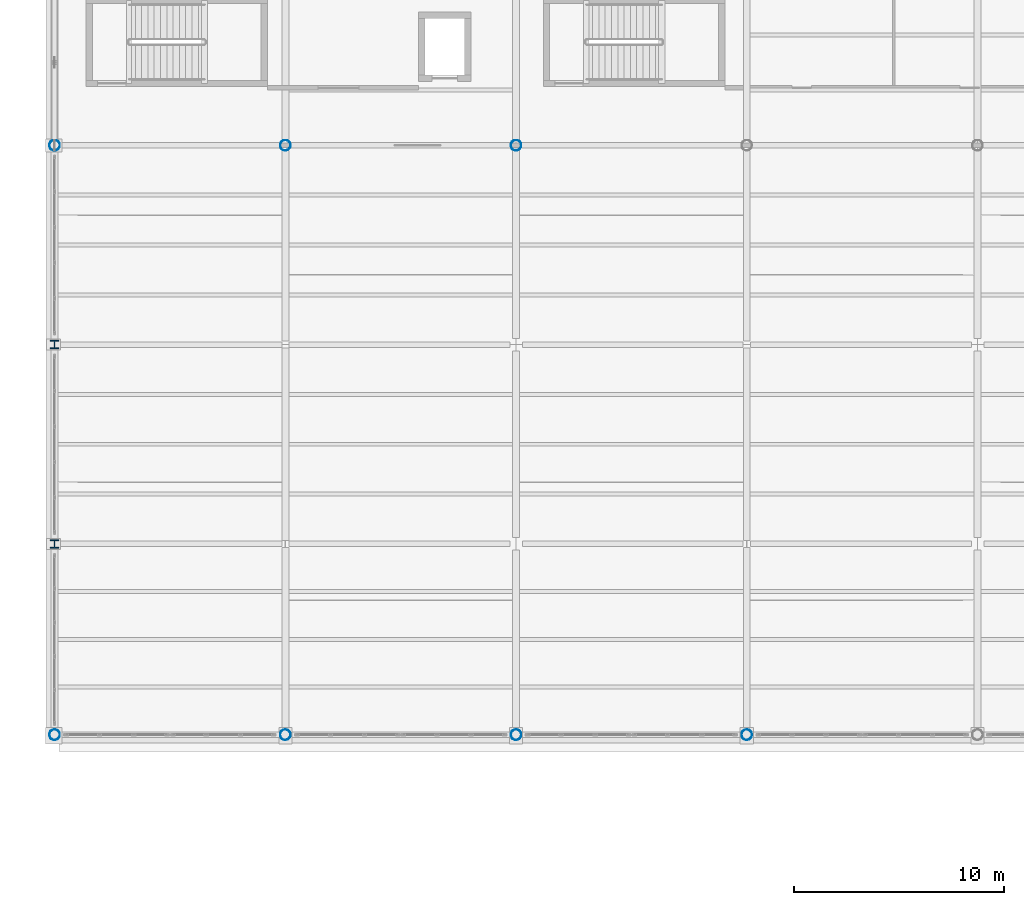
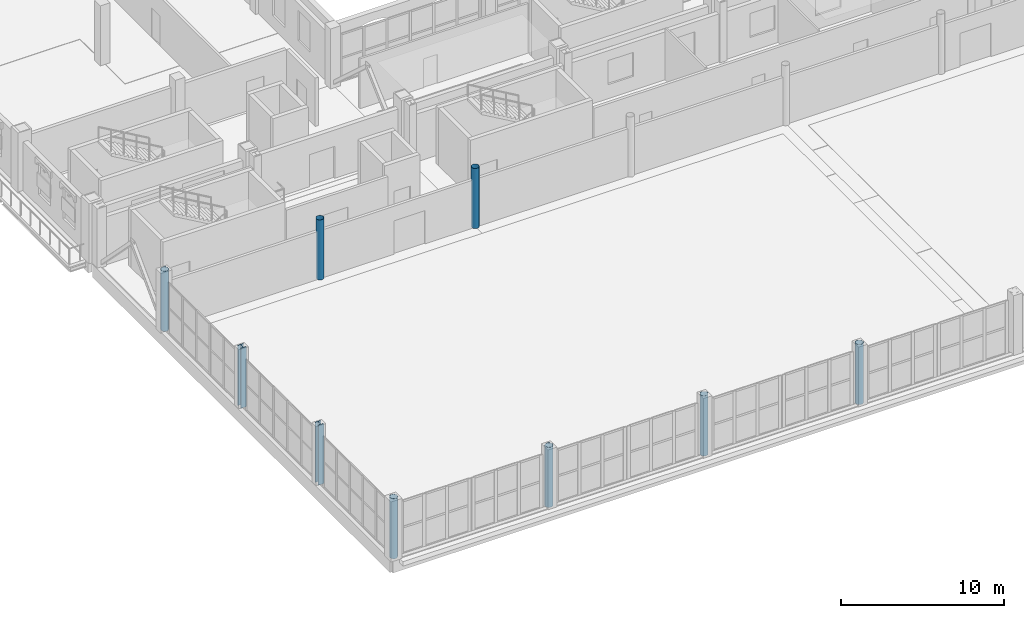
# One storey, part 1 of 156: 9 columns.
"""IFC4 building model written with IfcOpenShell, lengths in metres."""

import ifcopenshell
import ifcopenshell.guid

model = None  # the IFC model being written
_history = None  # IfcOwnerHistory: only IFC2X3 demands one
_inside = {}  # id of a spatial element -> (the spatial element, [elements in it])
_under = {}  # id of a project, library or spatial element -> (it, [spatial elements below it])
_declared = {}  # id of a project -> (the project, [libraries it declares])
_typed = {}  # id of a type object -> (the type object, [elements of that type])
_made_of = {}  # id of a material, layer set ... -> (it, [elements and type objects made of it])


def new_model(schema):
    """Start an empty IFC model of exactly this schema.

    Asked for "IFC4X3", IfcOpenShell would pick the latest addendum, in which some entities
    have other attributes; the version numbers below select the first issue.
    IFC2X3 requires an IfcOwnerHistory on every rooted entity: one is made here for all.
    """
    global model, _history
    if schema == "IFC4X3":
        model = ifcopenshell.file(schema_version=(4, 3, 0, 0))
    else:
        model = ifcopenshell.file(schema=schema)
    _inside.clear()
    _under.clear()
    _declared.clear()
    _typed.clear()
    _made_of.clear()
    _history = None
    if model.schema == "IFC2X3":
        org = make("IfcOrganization", Name="unknown")
        user = make(
            "IfcPersonAndOrganization",
            ThePerson=make("IfcPerson", FamilyName="unknown"),
            TheOrganization=org,
        )
        app = make(
            "IfcApplication",
            ApplicationDeveloper=org,
            Version="unknown",
            ApplicationFullName="unknown",
            ApplicationIdentifier="unknown",
        )
        _history = make(
            "IfcOwnerHistory",
            OwningUser=user,
            OwningApplication=app,
            ChangeAction="ADDED",
            CreationDate=0,
        )
    return model


def make(cls, **values):
    """One entity of the class cls with the attributes given. An attribute that is None is left unset."""
    return model.create_entity(
        cls, **{name: value for name, value in values.items() if value is not None}
    )


def rooted(cls, **values):
    """An entity with a GlobalId (a new one), such as an element, a storey or a relation."""
    return make(cls, GlobalId=ifcopenshell.guid.new(), OwnerHistory=_history, **values)


def si_unit(unit_type, name, prefix=None):
    """IfcSIUnit, for example si_unit("LENGTHUNIT", "METRE", prefix="MILLI")."""
    return make("IfcSIUnit", UnitType=unit_type, Prefix=prefix, Name=name)


def assignment(units):
    """IfcUnitAssignment: the units of a project."""
    return None if units is None else make("IfcUnitAssignment", Units=units)


def point(xyz):
    """IfcCartesianPoint."""
    return None if xyz is None else make("IfcCartesianPoint", Coordinates=xyz)


def direction(xyz):
    """IfcDirection."""
    return None if xyz is None else make("IfcDirection", DirectionRatios=xyz)


def frame(location, z_axis=None, x_axis=None):
    """IfcAxis2Placement3D, a coordinate frame: its origin and axes. An axis left out is left unset."""
    return make(
        "IfcAxis2Placement3D",
        Location=point(location),
        Axis=direction(z_axis),
        RefDirection=direction(x_axis),
    )


def frame_2d(location, x_axis=None):
    """IfcAxis2Placement2D, a coordinate frame in the plane: its origin and x axis."""
    return make(
        "IfcAxis2Placement2D", Location=point(location), RefDirection=direction(x_axis)
    )


def origin():
    """The frame at (0, 0, 0) with its axes left unset."""
    return frame((0.0, 0.0, 0.0))


def origin_2d():
    """The frame at (0, 0) in the plane with its x axis left unset."""
    return frame_2d((0.0, 0.0))


def place(relative_to, where):
    """IfcLocalPlacement: puts the frame where relative to a parent placement (None: the world)."""
    return make(
        "IfcLocalPlacement", PlacementRelTo=relative_to, RelativePlacement=where
    )


def context(
    kind, dimensions, precision=None, world=None, true_north=None, identifier=None
):
    """IfcGeometricRepresentationContext, for example the 3D "Model" context."""
    return make(
        "IfcGeometricRepresentationContext",
        ContextIdentifier=identifier,
        ContextType=kind,
        CoordinateSpaceDimension=dimensions,
        Precision=precision,
        WorldCoordinateSystem=world,
        TrueNorth=true_north,
    )


def subcontext(parent, identifier, kind, view, scale=None):
    """IfcGeometricRepresentationSubContext, for example "Body" below "Model"."""
    return make(
        "IfcGeometricRepresentationSubContext",
        ContextIdentifier=identifier,
        ContextType=kind,
        ParentContext=parent,
        TargetScale=scale,
        TargetView=view,
    )


def project(units=None, contexts=None):
    """IfcProject with its units and contexts."""
    return rooted(
        "IfcProject",
        Name="project",
        RepresentationContexts=contexts,
        UnitsInContext=assignment(units),
    )


def spatial(cls, under=None, at=None, **own):
    """A site, building, storey or space (cls), placed at a placement, below another one or the project."""
    s = rooted(cls, ObjectPlacement=at, **own)
    if under is not None:
        _under.setdefault(under.id(), (under, []))[1].append(s)
    return s


def profile(cls, at=None, kind="AREA", **sizes):
    """A parametric profile (cls). Its sizes go by their IFC names, for example OverallWidth=200.0."""
    return make(cls, ProfileType=kind, Position=at, **sizes)


def hollow_circle(**sizes):
    """IfcCircleHollowProfileDef."""
    return profile("IfcCircleHollowProfileDef", **sizes)


def i_section(**sizes):
    """IfcIShapeProfileDef."""
    return profile("IfcIShapeProfileDef", **sizes)


def extrude(swept, where, along, depth):
    """IfcExtrudedAreaSolid: the profile swept, set in the frame where, extruded along a direction by depth."""
    return make(
        "IfcExtrudedAreaSolid",
        SweptArea=swept,
        Position=where,
        ExtrudedDirection=direction(along),
        Depth=depth,
    )


def shape(context_of_items, identifier, shape_type, items):
    """IfcShapeRepresentation: the items that make up one representation, for example the "Body"."""
    return make(
        "IfcShapeRepresentation",
        ContextOfItems=context_of_items,
        RepresentationIdentifier=identifier,
        RepresentationType=shape_type,
        Items=items,
    )


def material(Name=None, Category=None):
    """IfcMaterial."""
    return make("IfcMaterial", Name=Name, Category=Category)


def material_profile(
    of_material, cross_section, Name=None, Category=None, Priority=None
):
    """IfcMaterialProfile: a cross section and its material."""
    return make(
        "IfcMaterialProfile",
        Name=Name,
        Material=of_material,
        Profile=cross_section,
        Priority=Priority,
        Category=Category,
    )


def profile_set(profiles, Name=None, composite=None):
    """IfcMaterialProfileSet."""
    return make(
        "IfcMaterialProfileSet",
        Name=Name,
        MaterialProfiles=profiles,
        CompositeProfile=composite,
    )


def made_of(thing, what):
    """Note that an element or type object is made of a material, layer set ...; save() writes the relation."""
    if what is not None:
        _made_of.setdefault(what.id(), (what, []))[1].append(thing)
    return thing


def type_object(cls, material=None, **own):
    """A type object (cls), such as IfcWallType, which elements share."""
    return made_of(rooted(cls, **own), material)


def element(
    cls,
    number,
    at=None,
    inside=None,
    cuts=None,
    type_object=None,
    material=None,
    context=None,
    identifier="Body",
    shape_type=None,
    held_by="IfcProductDefinitionShape",
    body=None,
    shapes=None,
    **own,
):
    """One element of the class cls, such as IfcWall. Its Tag is "e" and its number.

    at: its placement. inside: the storey or other place that contains it. cuts: it is an
    opening in that element (IfcRelVoidsElement). A single representation is given by context,
    identifier, shape_type and body (its items); several are given by shapes. held_by: the class
    of the entity that holds the representations. save() writes the other relations.
    """
    e = rooted(cls, Tag="e%d" % number, ObjectPlacement=at, **own)
    if body is not None:
        shapes = [shape(context, identifier, shape_type, body)]
    if shapes is not None:
        e.Representation = make(held_by, Representations=shapes)
    if inside is not None:
        _inside.setdefault(inside.id(), (inside, []))[1].append(e)
    if cuts is not None:
        rooted(
            "IfcRelVoidsElement", RelatingBuildingElement=cuts, RelatedOpeningElement=e
        )
    if type_object is not None:
        _typed.setdefault(type_object.id(), (type_object, []))[1].append(e)
    return made_of(e, material)


def aggregate(whole, parts):
    """IfcRelAggregates: a whole, such as a stair, and the parts it consists of."""
    return rooted("IfcRelAggregates", RelatingObject=whole, RelatedObjects=parts)


def save(model, path):
    """Write the relations noted so far, then the file.

    IfcRelAggregates (storeys below a building ...), IfcRelContainedInSpatialStructure (elements
    in a storey), IfcRelDefinesByType, IfcRelAssociatesMaterial and IfcRelDeclares: one each for
    every whole, place, type object, material and project.
    """
    for whole, parts in _under.values():
        aggregate(whole, parts)
    for where, things in _inside.values():
        rooted(
            "IfcRelContainedInSpatialStructure",
            RelatedElements=things,
            RelatingStructure=where,
        )
    for kind, things in _typed.values():
        rooted("IfcRelDefinesByType", RelatedObjects=things, RelatingType=kind)
    for what, things in _made_of.values():
        rooted("IfcRelAssociatesMaterial", RelatedObjects=things, RelatingMaterial=what)
    for by, libraries in _declared.values():
        rooted("IfcRelDeclares", RelatingContext=by, RelatedDefinitions=libraries)
    model.write(path)


model = new_model("IFC4")

# Units and contexts
model_context = context("Model", 3, precision=1e-05, world=origin(), true_north=direction((0.0, 1.0)))
body_context = subcontext(model_context, "Body", "Model", "MODEL_VIEW")
ifc_project = project(units=[si_unit("LENGTHUNIT", "METRE"), si_unit("AREAUNIT", "SQUARE_METRE"), si_unit("VOLUMEUNIT", "CUBIC_METRE"), si_unit("PLANEANGLEUNIT", "RADIAN"), si_unit("MASSUNIT", "GRAM", prefix="KILO")], contexts=[model_context])

# Site, building, storey
site_placement = place(None, origin())
site = spatial("IfcSite", under=ifc_project, at=site_placement, CompositionType="ELEMENT")
building_placement = place(site_placement, origin())
building = spatial("IfcBuilding", under=site, at=building_placement, Name="Caurita Quay Ferry Terminal", CompositionType="ELEMENT")
storey_placement = place(building_placement, frame((0.0, 0.0, 5.39990234375)))
storey = spatial("IfcBuildingStorey", under=building, at=storey_placement, Name="L01", CompositionType="ELEMENT", Elevation=5.39990234375)

# Columns
ifc_material_1 = material(Name="Hollow structural steel ASTM A500 Gr. C", Category="steel")
ifc_material_profile_1 = material_profile(ifc_material_1, hollow_circle(Radius=0.25390625, WallThickness=0.01171875, at=origin_2d()), Name="HSS20.000X0.500")
ifc_profile_set_1 = profile_set([ifc_material_profile_1], Name="Hollow structural steel ASTM A500 Gr. C")
column_type_1 = type_object("IfcColumnType", Name="COL-MST-01", PredefinedType="COLUMN", material=ifc_profile_set_1)
for number, where, z_axis, x_axis, name in (
    (1, (0.0, 34.60009765625, 0.0), (0.0, 0.0, 1.0), (1.0, 0.0, 0.0), "L01 Column V1-MST-01-S"),
    (2, (0.0, 62.699951171875, 0.0), (0.0, 0.0, 1.0), (1.0, 0.0, 0.0), "L01 Column V1-MST-01-N"),
    (3, (11.0, 34.60009765625, 0.0), (0.0, 0.0, 1.0), (1.0, 0.0, 0.0), "L01 Column V1-MST-02-S"),
    (4, (11.0, 62.699951171875, 0.0), (0.0, 0.0, 1.0), (1.0, 0.0, 0.0), "L01 Column V1-MST-02-N"),
    (5, (22.0, 34.60009765625, 0.0), (0.0, 0.0, 1.0), (1.0, 0.0, 0.0), "L01 Column V1-MST-03-S"),
    (6, (22.0, 62.699951171875, 0.0), (0.0, 0.0, 1.0), (1.0, 0.0, 0.0), "L01 Column V1-MST-03-N"),
    (7, (33.0, 34.60009765625, 0.0), (0.0, 0.0, 1.0), (1.0, 0.0, 0.0), "L01 Column V1-MST-04-S"),
):
    element("IfcColumn", number, at=place(storey_placement, frame(where, z_axis=z_axis, x_axis=x_axis)), inside=storey, type_object=column_type_1, Name=name, PredefinedType="COLUMN", context=body_context, shape_type="SweptSolid", body=[
        extrude(hollow_circle(Radius=0.25390625, WallThickness=0.01171875, at=origin_2d()), origin(), (0.0, 0.0, 1.0), 4.5),
    ])
ifc_material_2 = material(Name="Structural steel ASTM A992 Gr. 50", Category="steel")
ifc_material_profile_2 = material_profile(ifc_material_2, i_section(OverallWidth=0.398681640625, OverallDepth=0.393798828125, WebThickness=0.022705078125, FlangeThickness=0.03662109375, FilletRadius=0.017822265625, at=origin_2d()), Name="W14X193")
ifc_profile_set_2 = profile_set([ifc_material_profile_2], Name="Structural steel ASTM A992 Gr. 50")
column_type_2 = type_object("IfcColumnType", Name="COL-STL-04", PredefinedType="COLUMN", material=ifc_profile_set_2)
for number, where, z_axis, x_axis, name in (
    (8, (0.0, 43.699951171875, 0.0), (0.0, 0.0, 1.0), (1.0, 0.0, 0.0), "L01 Column V1-GBL-01-G"),
    (9, (0.0, 53.199951171875, 0.0), (0.0, 0.0, 1.0), (1.0, 0.0, 0.0), "L01 Column V1-GBL-01-H"),
):
    element("IfcColumn", number, at=place(storey_placement, frame(where, z_axis=z_axis, x_axis=x_axis)), inside=storey, type_object=column_type_2, Name=name, PredefinedType="COLUMN", context=body_context, shape_type="SweptSolid", body=[
        extrude(i_section(OverallWidth=0.398681640625, OverallDepth=0.393798828125, WebThickness=0.022705078125, FlangeThickness=0.03662109375, FilletRadius=0.017822265625, at=origin_2d()), origin(), (0.0, 0.0, 1.0), 4.5),
    ])

save(model, "model.ifc")
